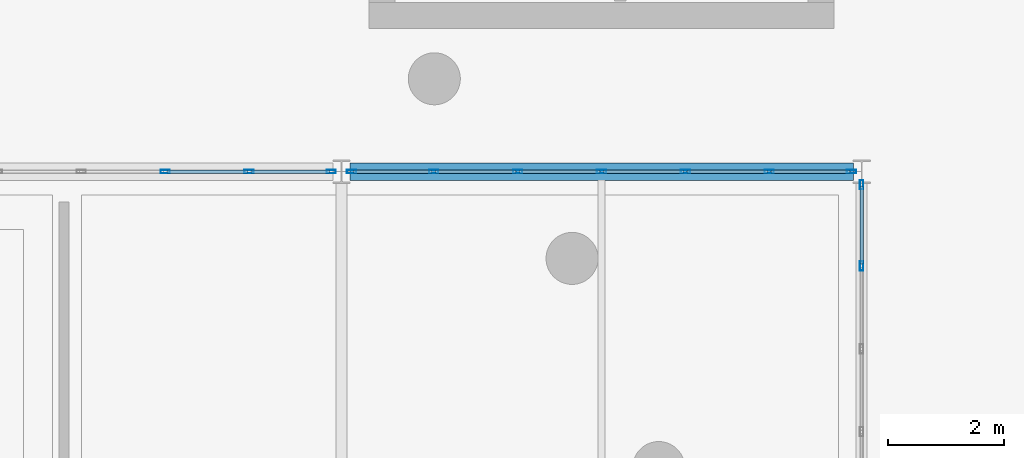
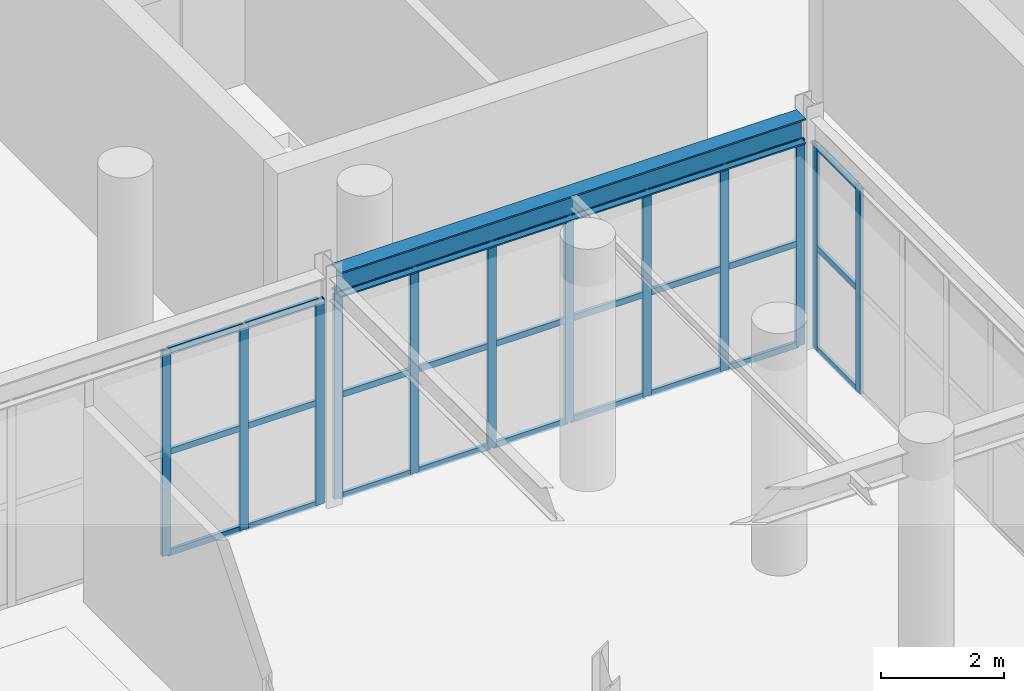
# One storey, part 15 of 29: 39 members, 1 beam, 3 elements without a shape of their own.
"""IFC4 building model written with IfcOpenShell, lengths in metres."""

from ifc_helpers import new_model, si_unit, direction, frame, origin, origin_2d, place, context, subcontext, project, spatial, hollow_rectangle, i_section, extrude, material, layer, layer_set, material_profile, profile_set, type_object, element, aggregate, save


model = new_model("IFC4")

# Units and contexts
model_context = context("Model", 3, precision=1e-05, world=origin(), true_north=direction((0.0, 1.0)))
body_context = subcontext(model_context, "Body", "Model", "MODEL_VIEW")
ifc_project = project(units=[si_unit("LENGTHUNIT", "METRE"), si_unit("AREAUNIT", "SQUARE_METRE"), si_unit("VOLUMEUNIT", "CUBIC_METRE"), si_unit("PLANEANGLEUNIT", "RADIAN"), si_unit("MASSUNIT", "GRAM", prefix="KILO")], contexts=[model_context])

# Site, building, storey
site_placement = place(None, origin())
site = spatial("IfcSite", under=ifc_project, at=site_placement, CompositionType="ELEMENT")
building_placement = place(site_placement, origin())
building = spatial("IfcBuilding", under=site, at=building_placement, Name="Dornveld Trade and Exhibition Forum", CompositionType="ELEMENT")
storey_placement = place(building_placement, frame((0.0, 0.0, 21.60009765625)))
storey = spatial("IfcBuildingStorey", under=building, at=storey_placement, Name="L04", CompositionType="ELEMENT", Elevation=21.60009765625)

# Beam
ifc_material_1 = material(Name="Steel S355J2", Category="steel")
ifc_material_profile_1 = material_profile(ifc_material_1, i_section(OverallWidth=0.300048828125, OverallDepth=0.5, WebThickness=0.014404296875, FlangeThickness=0.028076171875, FilletRadius=0.027099609375, at=origin_2d()), Name="HEB 500")
ifc_profile_set_1 = profile_set([ifc_material_profile_1], Name="Steel S355J2")
beam_type = type_object("IfcBeamType", Name="BM-GIR-HEB500", PredefinedType="USERDEFINED", material=ifc_profile_set_1)
beam_placement = place(storey_placement, frame((126.14599609375, 90.0, 4.2998046875), z_axis=(1.0, 0.0, 0.0), x_axis=(0.0, 1.0, 0.0)))
element("IfcBeam", 1, at=beam_placement, inside=storey, type_object=beam_type, Name="L04 X-girder 1685", ObjectType="GIRDER", PredefinedType="USERDEFINED", context=body_context, shape_type="SweptSolid", body=[
    extrude(i_section(OverallWidth=0.300048828125, OverallDepth=0.5, WebThickness=0.014404296875, FlangeThickness=0.028076171875, FilletRadius=0.027099609375, at=origin_2d()), origin(), (0.0, 0.0, 1.0), 8.7080078125),
])

# Curtain wall, members
ifc_material_2 = material(Name="Dark-bronze anodised aluminium and low-E glass", Category="aluminium")
ifc_layer_1 = layer(ifc_material_2, 0.14794921875)
ifc_layer_set_1 = layer_set([ifc_layer_1], Name="Dark-bronze anodised aluminium and low-E glass")
curtain_wall_type_1 = type_object("IfcCurtainWallType", Name="CW-SYS-02", PredefinedType="USERDEFINED", material=ifc_layer_set_1)
curtain_wall_1_placement = place(storey_placement, origin())
curtain_wall_1 = element("IfcCurtainWall", 2, at=curtain_wall_1_placement, inside=storey, type_object=curtain_wall_type_1, Name="L04 unitised curtain wall 128", ObjectType="UNITISED_CURTAIN_WALL", PredefinedType="USERDEFINED")
ifc_material_3 = material(Name="Dark-bronze anodised aluminium", Category="aluminium")
ifc_material_profile_2 = material_profile(ifc_material_3, hollow_rectangle(XDim=0.06005859375, YDim=0.159912109375, WallThickness=0.00390625, at=origin_2d()), Name="RHS 160x60x4")
ifc_profile_set_2 = profile_set([ifc_material_profile_2], Name="Dark-bronze anodised aluminium")
member_type_1 = type_object("IfcMemberType", Name="CW-MUL-160", PredefinedType="MULLION", material=ifc_profile_set_2)
member_1_placement = place(storey_placement, frame((125.823974609375, 90.0, -0.004150390625), z_axis=(0.0, 0.0, 1.0), x_axis=(0.0, -1.0, 0.0)))
member_1 = element("IfcMember", 3, at=member_1_placement, type_object=member_type_1, Name="CW-02 mullion 1", PredefinedType="MULLION", context=body_context, shape_type="SweptSolid", body=[
    extrude(hollow_rectangle(XDim=0.06005859375, YDim=0.159912109375, WallThickness=0.00390625, at=origin_2d()), origin(), (0.0, 0.0, 1.0), 4.06396484375),
])
member_2_placement = place(storey_placement, frame((124.402587890625, 90.0, -0.004150390625), z_axis=(0.0, 0.0, 1.0), x_axis=(0.0, -1.0, 0.0)))
member_2 = element("IfcMember", 4, at=member_2_placement, type_object=member_type_1, Name="CW-02 mullion 2", PredefinedType="MULLION", context=body_context, shape_type="SweptSolid", body=[
    extrude(hollow_rectangle(XDim=0.06005859375, YDim=0.159912109375, WallThickness=0.00390625, at=origin_2d()), origin(), (0.0, 0.0, 1.0), 4.06396484375),
])
member_3_placement = place(storey_placement, frame((122.951416015625, 90.0, -0.004150390625), z_axis=(0.0, 0.0, 1.0), x_axis=(0.0, -1.0, 0.0)))
member_3 = element("IfcMember", 5, at=member_3_placement, type_object=member_type_1, Name="CW-02 mullion 3", PredefinedType="MULLION", context=body_context, shape_type="SweptSolid", body=[
    extrude(hollow_rectangle(XDim=0.06005859375, YDim=0.159912109375, WallThickness=0.00390625, at=origin_2d()), origin(), (0.0, 0.0, 1.0), 4.06396484375),
])

ifc_material_4 = material(Name="Dark-bronze anodised aluminium and low-E glass", Category="aluminium")
ifc_layer_2 = layer(ifc_material_4, 0.154052734375)
ifc_layer_set_2 = layer_set([ifc_layer_2], Name="Dark-bronze anodised aluminium and low-E glass")
curtain_wall_type_2 = type_object("IfcCurtainWallType", Name="CW-SYS-04", PredefinedType="USERDEFINED", material=ifc_layer_set_2)
curtain_wall_2_placement = place(storey_placement, origin())
curtain_wall_2 = element("IfcCurtainWall", 6, at=curtain_wall_2_placement, inside=storey, type_object=curtain_wall_type_2, Name="L04 unitised curtain wall 130", ObjectType="UNITISED_CURTAIN_WALL", PredefinedType="USERDEFINED")
member_4_placement = place(storey_placement, frame((134.823974609375, 90.0, -0.004150390625), z_axis=(0.0, 0.0, 1.0), x_axis=(0.0, -1.0, 0.0)))
member_4 = element("IfcMember", 7, at=member_4_placement, type_object=member_type_1, Name="CW-04 mullion 1", PredefinedType="MULLION", context=body_context, shape_type="SweptSolid", body=[
    extrude(hollow_rectangle(XDim=0.06005859375, YDim=0.159912109375, WallThickness=0.00390625, at=origin_2d()), origin(), (0.0, 0.0, 1.0), 4.06396484375),
])
member_5_placement = place(storey_placement, frame((133.402587890625, 90.0, -0.004150390625), z_axis=(0.0, 0.0, 1.0), x_axis=(0.0, -1.0, 0.0)))
member_5 = element("IfcMember", 8, at=member_5_placement, type_object=member_type_1, Name="CW-04 mullion 2", PredefinedType="MULLION", context=body_context, shape_type="SweptSolid", body=[
    extrude(hollow_rectangle(XDim=0.06005859375, YDim=0.159912109375, WallThickness=0.00390625, at=origin_2d()), origin(), (0.0, 0.0, 1.0), 4.06396484375),
])
member_6_placement = place(storey_placement, frame((131.951416015625, 90.0, -0.004150390625), z_axis=(0.0, 0.0, 1.0), x_axis=(0.0, -1.0, 0.0)))
member_6 = element("IfcMember", 9, at=member_6_placement, type_object=member_type_1, Name="CW-04 mullion 3", PredefinedType="MULLION", context=body_context, shape_type="SweptSolid", body=[
    extrude(hollow_rectangle(XDim=0.06005859375, YDim=0.159912109375, WallThickness=0.00390625, at=origin_2d()), origin(), (0.0, 0.0, 1.0), 4.06396484375),
])
member_7_placement = place(storey_placement, frame((130.5, 90.0, -0.004150390625), z_axis=(0.0, 0.0, 1.0), x_axis=(0.0, -1.0, 0.0)))
member_7 = element("IfcMember", 10, at=member_7_placement, type_object=member_type_1, Name="CW-04 mullion 4", PredefinedType="MULLION", context=body_context, shape_type="SweptSolid", body=[
    extrude(hollow_rectangle(XDim=0.06005859375, YDim=0.159912109375, WallThickness=0.00390625, at=origin_2d()), origin(), (0.0, 0.0, 1.0), 4.06396484375),
])
member_8_placement = place(storey_placement, frame((129.048583984375, 90.0, -0.004150390625), z_axis=(0.0, 0.0, 1.0), x_axis=(0.0, -1.0, 0.0)))
member_8 = element("IfcMember", 11, at=member_8_placement, type_object=member_type_1, Name="CW-04 mullion 5", PredefinedType="MULLION", context=body_context, shape_type="SweptSolid", body=[
    extrude(hollow_rectangle(XDim=0.06005859375, YDim=0.159912109375, WallThickness=0.00390625, at=origin_2d()), origin(), (0.0, 0.0, 1.0), 4.06396484375),
])
member_9_placement = place(storey_placement, frame((127.597412109375, 90.0, -0.004150390625), z_axis=(0.0, 0.0, 1.0), x_axis=(0.0, -1.0, 0.0)))
member_9 = element("IfcMember", 12, at=member_9_placement, type_object=member_type_1, Name="CW-04 mullion 6", PredefinedType="MULLION", context=body_context, shape_type="SweptSolid", body=[
    extrude(hollow_rectangle(XDim=0.06005859375, YDim=0.159912109375, WallThickness=0.00390625, at=origin_2d()), origin(), (0.0, 0.0, 1.0), 4.06396484375),
])
member_10_placement = place(storey_placement, frame((126.176025390625, 90.0, -0.004150390625), z_axis=(0.0, 0.0, 1.0), x_axis=(0.0, -1.0, 0.0)))
member_10 = element("IfcMember", 13, at=member_10_placement, type_object=member_type_1, Name="CW-04 mullion 7", PredefinedType="MULLION", context=body_context, shape_type="SweptSolid", body=[
    extrude(hollow_rectangle(XDim=0.06005859375, YDim=0.159912109375, WallThickness=0.00390625, at=origin_2d()), origin(), (0.0, 0.0, 1.0), 4.06396484375),
])

ifc_material_5 = material(Name="Dark-bronze anodised aluminium and low-E glass", Category="aluminium")
ifc_layer_3 = layer(ifc_material_5, 0.156982421875)
ifc_layer_set_3 = layer_set([ifc_layer_3], Name="Dark-bronze anodised aluminium and low-E glass")
curtain_wall_type_3 = type_object("IfcCurtainWallType", Name="CW-SYS-05", PredefinedType="USERDEFINED", material=ifc_layer_set_3)
curtain_wall_3_placement = place(storey_placement, origin())
curtain_wall_3 = element("IfcCurtainWall", 14, at=curtain_wall_3_placement, inside=storey, type_object=curtain_wall_type_3, Name="L04 unitised curtain wall 131", ObjectType="UNITISED_CURTAIN_WALL", PredefinedType="USERDEFINED")
member_11_placement = place(storey_placement, frame((135.0, 88.369384765625, -0.004150390625), z_axis=(0.0, 0.0, 1.0), x_axis=(-1.0, 0.0, 0.0)))
member_11 = element("IfcMember", 15, at=member_11_placement, type_object=member_type_1, Name="CW-05 mullion 6", PredefinedType="MULLION", context=body_context, shape_type="SweptSolid", body=[
    extrude(hollow_rectangle(XDim=0.06005859375, YDim=0.159912109375, WallThickness=0.00390625, at=origin_2d()), origin(), (0.0, 0.0, 1.0), 4.06396484375),
])
member_12_placement = place(storey_placement, frame((135.0, 89.77392578125, -0.004150390625), z_axis=(0.0, 0.0, 1.0), x_axis=(-1.0, 0.0, 0.0)))
member_12 = element("IfcMember", 16, at=member_12_placement, type_object=member_type_1, Name="CW-05 mullion 7", PredefinedType="MULLION", context=body_context, shape_type="SweptSolid", body=[
    extrude(hollow_rectangle(XDim=0.06005859375, YDim=0.159912109375, WallThickness=0.00390625, at=origin_2d()), origin(), (0.0, 0.0, 1.0), 4.06396484375),
])

# Member
ifc_material_6 = material(Name="Dark-bronze anodised aluminium", Category="aluminium")
ifc_material_profile_3 = material_profile(ifc_material_6, hollow_rectangle(XDim=0.06005859375, YDim=0.1201171875, WallThickness=0.00390625, at=origin_2d()), Name="RHS 120x60x4")
ifc_profile_set_3 = profile_set([ifc_material_profile_3], Name="Dark-bronze anodised aluminium")
member_type_2 = type_object("IfcMemberType", Name="CW-TRN-120", PredefinedType="USERDEFINED", material=ifc_profile_set_3)
member_13_placement = place(storey_placement, frame((125.7939453125, 90.0, 0.02587890625), z_axis=(-1.0, 0.0, 0.0), x_axis=(0.0, -1.0, 0.0)))
member_13 = element("IfcMember", 17, at=member_13_placement, type_object=member_type_2, Name="CW-02 transom 1.1", ObjectType="TRANSOM", PredefinedType="USERDEFINED", context=body_context, shape_type="SweptSolid", body=[
    extrude(hollow_rectangle(XDim=0.06005859375, YDim=0.1201171875, WallThickness=0.00390625, at=origin_2d()), origin(), (0.0, 0.0, 1.0), 1.361328125),
])

member_14_placement = place(storey_placement, frame((125.7939453125, 90.0, 2.02783203125), z_axis=(-1.0, 0.0, 0.0), x_axis=(0.0, -1.0, 0.0)))
member_14 = element("IfcMember", 18, at=member_14_placement, type_object=member_type_2, Name="CW-02 transom 1.2", ObjectType="TRANSOM", PredefinedType="USERDEFINED", context=body_context, shape_type="SweptSolid", body=[
    extrude(hollow_rectangle(XDim=0.06005859375, YDim=0.1201171875, WallThickness=0.00390625, at=origin_2d()), origin(), (0.0, 0.0, 1.0), 1.361328125),
])

member_15_placement = place(storey_placement, frame((125.7939453125, 90.0, 4.02978515625), z_axis=(-1.0, 0.0, 0.0), x_axis=(0.0, -1.0, 0.0)))
member_15 = element("IfcMember", 19, at=member_15_placement, type_object=member_type_2, Name="CW-02 transom 1.3", ObjectType="TRANSOM", PredefinedType="USERDEFINED", context=body_context, shape_type="SweptSolid", body=[
    extrude(hollow_rectangle(XDim=0.06005859375, YDim=0.1201171875, WallThickness=0.00390625, at=origin_2d()), origin(), (0.0, 0.0, 1.0), 1.361328125),
])

member_16_placement = place(storey_placement, frame((124.37255859375, 90.0, 0.02587890625), z_axis=(-1.0, 0.0, 0.0), x_axis=(0.0, -1.0, 0.0)))
member_16 = element("IfcMember", 20, at=member_16_placement, type_object=member_type_2, Name="CW-02 transom 2.1", ObjectType="TRANSOM", PredefinedType="USERDEFINED", context=body_context, shape_type="SweptSolid", body=[
    extrude(hollow_rectangle(XDim=0.06005859375, YDim=0.1201171875, WallThickness=0.00390625, at=origin_2d()), origin(), (0.0, 0.0, 1.0), 1.39111328125),
])

member_17_placement = place(storey_placement, frame((124.37255859375, 90.0, 2.02783203125), z_axis=(-1.0, 0.0, 0.0), x_axis=(0.0, -1.0, 0.0)))
member_17 = element("IfcMember", 21, at=member_17_placement, type_object=member_type_2, Name="CW-02 transom 2.2", ObjectType="TRANSOM", PredefinedType="USERDEFINED", context=body_context, shape_type="SweptSolid", body=[
    extrude(hollow_rectangle(XDim=0.06005859375, YDim=0.1201171875, WallThickness=0.00390625, at=origin_2d()), origin(), (0.0, 0.0, 1.0), 1.39111328125),
])

member_18_placement = place(storey_placement, frame((124.37255859375, 90.0, 4.02978515625), z_axis=(-1.0, 0.0, 0.0), x_axis=(0.0, -1.0, 0.0)))
member_18 = element("IfcMember", 22, at=member_18_placement, type_object=member_type_2, Name="CW-02 transom 2.3", ObjectType="TRANSOM", PredefinedType="USERDEFINED", context=body_context, shape_type="SweptSolid", body=[
    extrude(hollow_rectangle(XDim=0.06005859375, YDim=0.1201171875, WallThickness=0.00390625, at=origin_2d()), origin(), (0.0, 0.0, 1.0), 1.39111328125),
])

aggregate(curtain_wall_1, [member_1, member_2, member_3, member_13, member_14, member_15, member_16, member_17, member_18])

member_19_placement = place(storey_placement, frame((134.7939453125, 90.0, 0.02587890625), z_axis=(-1.0, 0.0, 0.0), x_axis=(0.0, -1.0, 0.0)))
member_19 = element("IfcMember", 23, at=member_19_placement, type_object=member_type_2, Name="CW-04 transom 1.1", ObjectType="TRANSOM", PredefinedType="USERDEFINED", context=body_context, shape_type="SweptSolid", body=[
    extrude(hollow_rectangle(XDim=0.06005859375, YDim=0.1201171875, WallThickness=0.00390625, at=origin_2d()), origin(), (0.0, 0.0, 1.0), 1.361328125),
])

member_20_placement = place(storey_placement, frame((134.7939453125, 90.0, 2.02783203125), z_axis=(-1.0, 0.0, 0.0), x_axis=(0.0, -1.0, 0.0)))
member_20 = element("IfcMember", 24, at=member_20_placement, type_object=member_type_2, Name="CW-04 transom 1.2", ObjectType="TRANSOM", PredefinedType="USERDEFINED", context=body_context, shape_type="SweptSolid", body=[
    extrude(hollow_rectangle(XDim=0.06005859375, YDim=0.1201171875, WallThickness=0.00390625, at=origin_2d()), origin(), (0.0, 0.0, 1.0), 1.361328125),
])

member_21_placement = place(storey_placement, frame((134.7939453125, 90.0, 4.02978515625), z_axis=(-1.0, 0.0, 0.0), x_axis=(0.0, -1.0, 0.0)))
member_21 = element("IfcMember", 25, at=member_21_placement, type_object=member_type_2, Name="CW-04 transom 1.3", ObjectType="TRANSOM", PredefinedType="USERDEFINED", context=body_context, shape_type="SweptSolid", body=[
    extrude(hollow_rectangle(XDim=0.06005859375, YDim=0.1201171875, WallThickness=0.00390625, at=origin_2d()), origin(), (0.0, 0.0, 1.0), 1.361328125),
])

member_22_placement = place(storey_placement, frame((133.37255859375, 90.0, 0.02587890625), z_axis=(-1.0, 0.0, 0.0), x_axis=(0.0, -1.0, 0.0)))
member_22 = element("IfcMember", 26, at=member_22_placement, type_object=member_type_2, Name="CW-04 transom 2.1", ObjectType="TRANSOM", PredefinedType="USERDEFINED", context=body_context, shape_type="SweptSolid", body=[
    extrude(hollow_rectangle(XDim=0.06005859375, YDim=0.1201171875, WallThickness=0.00390625, at=origin_2d()), origin(), (0.0, 0.0, 1.0), 1.39111328125),
])

member_23_placement = place(storey_placement, frame((133.37255859375, 90.0, 2.02783203125), z_axis=(-1.0, 0.0, 0.0), x_axis=(0.0, -1.0, 0.0)))
member_23 = element("IfcMember", 27, at=member_23_placement, type_object=member_type_2, Name="CW-04 transom 2.2", ObjectType="TRANSOM", PredefinedType="USERDEFINED", context=body_context, shape_type="SweptSolid", body=[
    extrude(hollow_rectangle(XDim=0.06005859375, YDim=0.1201171875, WallThickness=0.00390625, at=origin_2d()), origin(), (0.0, 0.0, 1.0), 1.39111328125),
])

member_24_placement = place(storey_placement, frame((133.37255859375, 90.0, 4.02978515625), z_axis=(-1.0, 0.0, 0.0), x_axis=(0.0, -1.0, 0.0)))
member_24 = element("IfcMember", 28, at=member_24_placement, type_object=member_type_2, Name="CW-04 transom 2.3", ObjectType="TRANSOM", PredefinedType="USERDEFINED", context=body_context, shape_type="SweptSolid", body=[
    extrude(hollow_rectangle(XDim=0.06005859375, YDim=0.1201171875, WallThickness=0.00390625, at=origin_2d()), origin(), (0.0, 0.0, 1.0), 1.39111328125),
])

member_25_placement = place(storey_placement, frame((131.92138671875, 90.0, 0.02587890625), z_axis=(-1.0, 0.0, 0.0), x_axis=(0.0, -1.0, 0.0)))
member_25 = element("IfcMember", 29, at=member_25_placement, type_object=member_type_2, Name="CW-04 transom 3.1", ObjectType="TRANSOM", PredefinedType="USERDEFINED", context=body_context, shape_type="SweptSolid", body=[
    extrude(hollow_rectangle(XDim=0.06005859375, YDim=0.1201171875, WallThickness=0.00390625, at=origin_2d()), origin(), (0.0, 0.0, 1.0), 1.391357421875),
])

member_26_placement = place(storey_placement, frame((131.92138671875, 90.0, 2.02783203125), z_axis=(-1.0, 0.0, 0.0), x_axis=(0.0, -1.0, 0.0)))
member_26 = element("IfcMember", 30, at=member_26_placement, type_object=member_type_2, Name="CW-04 transom 3.2", ObjectType="TRANSOM", PredefinedType="USERDEFINED", context=body_context, shape_type="SweptSolid", body=[
    extrude(hollow_rectangle(XDim=0.06005859375, YDim=0.1201171875, WallThickness=0.00390625, at=origin_2d()), origin(), (0.0, 0.0, 1.0), 1.391357421875),
])

member_27_placement = place(storey_placement, frame((131.92138671875, 90.0, 4.02978515625), z_axis=(-1.0, 0.0, 0.0), x_axis=(0.0, -1.0, 0.0)))
member_27 = element("IfcMember", 31, at=member_27_placement, type_object=member_type_2, Name="CW-04 transom 3.3", ObjectType="TRANSOM", PredefinedType="USERDEFINED", context=body_context, shape_type="SweptSolid", body=[
    extrude(hollow_rectangle(XDim=0.06005859375, YDim=0.1201171875, WallThickness=0.00390625, at=origin_2d()), origin(), (0.0, 0.0, 1.0), 1.391357421875),
])

member_28_placement = place(storey_placement, frame((130.469970703125, 90.0, 0.02587890625), z_axis=(-1.0, 0.0, 0.0), x_axis=(0.0, -1.0, 0.0)))
member_28 = element("IfcMember", 32, at=member_28_placement, type_object=member_type_2, Name="CW-04 transom 4.1", ObjectType="TRANSOM", PredefinedType="USERDEFINED", context=body_context, shape_type="SweptSolid", body=[
    extrude(hollow_rectangle(XDim=0.06005859375, YDim=0.1201171875, WallThickness=0.00390625, at=origin_2d()), origin(), (0.0, 0.0, 1.0), 1.391357421875),
])

member_29_placement = place(storey_placement, frame((130.469970703125, 90.0, 2.02783203125), z_axis=(-1.0, 0.0, 0.0), x_axis=(0.0, -1.0, 0.0)))
member_29 = element("IfcMember", 33, at=member_29_placement, type_object=member_type_2, Name="CW-04 transom 4.2", ObjectType="TRANSOM", PredefinedType="USERDEFINED", context=body_context, shape_type="SweptSolid", body=[
    extrude(hollow_rectangle(XDim=0.06005859375, YDim=0.1201171875, WallThickness=0.00390625, at=origin_2d()), origin(), (0.0, 0.0, 1.0), 1.391357421875),
])

member_30_placement = place(storey_placement, frame((130.469970703125, 90.0, 4.02978515625), z_axis=(-1.0, 0.0, 0.0), x_axis=(0.0, -1.0, 0.0)))
member_30 = element("IfcMember", 34, at=member_30_placement, type_object=member_type_2, Name="CW-04 transom 4.3", ObjectType="TRANSOM", PredefinedType="USERDEFINED", context=body_context, shape_type="SweptSolid", body=[
    extrude(hollow_rectangle(XDim=0.06005859375, YDim=0.1201171875, WallThickness=0.00390625, at=origin_2d()), origin(), (0.0, 0.0, 1.0), 1.391357421875),
])

member_31_placement = place(storey_placement, frame((129.0185546875, 90.0, 0.02587890625), z_axis=(-1.0, 0.0, 0.0), x_axis=(0.0, -1.0, 0.0)))
member_31 = element("IfcMember", 35, at=member_31_placement, type_object=member_type_2, Name="CW-04 transom 5.1", ObjectType="TRANSOM", PredefinedType="USERDEFINED", context=body_context, shape_type="SweptSolid", body=[
    extrude(hollow_rectangle(XDim=0.06005859375, YDim=0.1201171875, WallThickness=0.00390625, at=origin_2d()), origin(), (0.0, 0.0, 1.0), 1.39111328125),
])

member_32_placement = place(storey_placement, frame((129.0185546875, 90.0, 2.02783203125), z_axis=(-1.0, 0.0, 0.0), x_axis=(0.0, -1.0, 0.0)))
member_32 = element("IfcMember", 36, at=member_32_placement, type_object=member_type_2, Name="CW-04 transom 5.2", ObjectType="TRANSOM", PredefinedType="USERDEFINED", context=body_context, shape_type="SweptSolid", body=[
    extrude(hollow_rectangle(XDim=0.06005859375, YDim=0.1201171875, WallThickness=0.00390625, at=origin_2d()), origin(), (0.0, 0.0, 1.0), 1.39111328125),
])

member_33_placement = place(storey_placement, frame((129.0185546875, 90.0, 4.02978515625), z_axis=(-1.0, 0.0, 0.0), x_axis=(0.0, -1.0, 0.0)))
member_33 = element("IfcMember", 37, at=member_33_placement, type_object=member_type_2, Name="CW-04 transom 5.3", ObjectType="TRANSOM", PredefinedType="USERDEFINED", context=body_context, shape_type="SweptSolid", body=[
    extrude(hollow_rectangle(XDim=0.06005859375, YDim=0.1201171875, WallThickness=0.00390625, at=origin_2d()), origin(), (0.0, 0.0, 1.0), 1.39111328125),
])

member_34_placement = place(storey_placement, frame((127.5673828125, 90.0, 0.02587890625), z_axis=(-1.0, 0.0, 0.0), x_axis=(0.0, -1.0, 0.0)))
member_34 = element("IfcMember", 38, at=member_34_placement, type_object=member_type_2, Name="CW-04 transom 6.1", ObjectType="TRANSOM", PredefinedType="USERDEFINED", context=body_context, shape_type="SweptSolid", body=[
    extrude(hollow_rectangle(XDim=0.06005859375, YDim=0.1201171875, WallThickness=0.00390625, at=origin_2d()), origin(), (0.0, 0.0, 1.0), 1.361328125),
])

member_35_placement = place(storey_placement, frame((127.5673828125, 90.0, 2.02783203125), z_axis=(-1.0, 0.0, 0.0), x_axis=(0.0, -1.0, 0.0)))
member_35 = element("IfcMember", 39, at=member_35_placement, type_object=member_type_2, Name="CW-04 transom 6.2", ObjectType="TRANSOM", PredefinedType="USERDEFINED", context=body_context, shape_type="SweptSolid", body=[
    extrude(hollow_rectangle(XDim=0.06005859375, YDim=0.1201171875, WallThickness=0.00390625, at=origin_2d()), origin(), (0.0, 0.0, 1.0), 1.361328125),
])

member_36_placement = place(storey_placement, frame((127.5673828125, 90.0, 4.02978515625), z_axis=(-1.0, 0.0, 0.0), x_axis=(0.0, -1.0, 0.0)))
member_36 = element("IfcMember", 40, at=member_36_placement, type_object=member_type_2, Name="CW-04 transom 6.3", ObjectType="TRANSOM", PredefinedType="USERDEFINED", context=body_context, shape_type="SweptSolid", body=[
    extrude(hollow_rectangle(XDim=0.06005859375, YDim=0.1201171875, WallThickness=0.00390625, at=origin_2d()), origin(), (0.0, 0.0, 1.0), 1.361328125),
])

aggregate(curtain_wall_2, [member_4, member_5, member_6, member_7, member_8, member_9, member_10, member_19, member_20, member_21, member_22, member_23, member_24, member_25, member_26, member_27, member_28, member_29, member_30, member_31, member_32, member_33, member_34, member_35, member_36])

member_37_placement = place(storey_placement, frame((135.0, 88.3994140625, 0.02587890625), z_axis=(0.0, 1.0, 0.0), x_axis=(-1.0, 0.0, 0.0)))
member_37 = element("IfcMember", 41, at=member_37_placement, type_object=member_type_2, Name="CW-05 transom 6.1", ObjectType="TRANSOM", PredefinedType="USERDEFINED", context=body_context, shape_type="SweptSolid", body=[
    extrude(hollow_rectangle(XDim=0.06005859375, YDim=0.1201171875, WallThickness=0.00390625, at=origin_2d()), origin(), (0.0, 0.0, 1.0), 1.344482421875),
])

member_38_placement = place(storey_placement, frame((135.0, 88.3994140625, 2.02783203125), z_axis=(0.0, 1.0, 0.0), x_axis=(-1.0, 0.0, 0.0)))
member_38 = element("IfcMember", 42, at=member_38_placement, type_object=member_type_2, Name="CW-05 transom 6.2", ObjectType="TRANSOM", PredefinedType="USERDEFINED", context=body_context, shape_type="SweptSolid", body=[
    extrude(hollow_rectangle(XDim=0.06005859375, YDim=0.1201171875, WallThickness=0.00390625, at=origin_2d()), origin(), (0.0, 0.0, 1.0), 1.344482421875),
])

member_39_placement = place(storey_placement, frame((135.0, 88.3994140625, 4.02978515625), z_axis=(0.0, 1.0, 0.0), x_axis=(-1.0, 0.0, 0.0)))
member_39 = element("IfcMember", 43, at=member_39_placement, type_object=member_type_2, Name="CW-05 transom 6.3", ObjectType="TRANSOM", PredefinedType="USERDEFINED", context=body_context, shape_type="SweptSolid", body=[
    extrude(hollow_rectangle(XDim=0.06005859375, YDim=0.1201171875, WallThickness=0.00390625, at=origin_2d()), origin(), (0.0, 0.0, 1.0), 1.344482421875),
])

aggregate(curtain_wall_3, [member_11, member_12, member_37, member_38, member_39])

save(model, "model.ifc")
